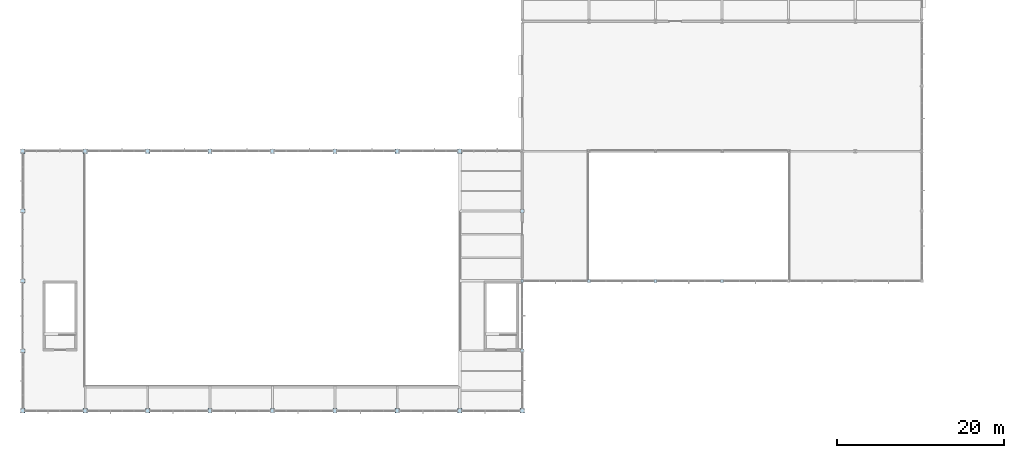
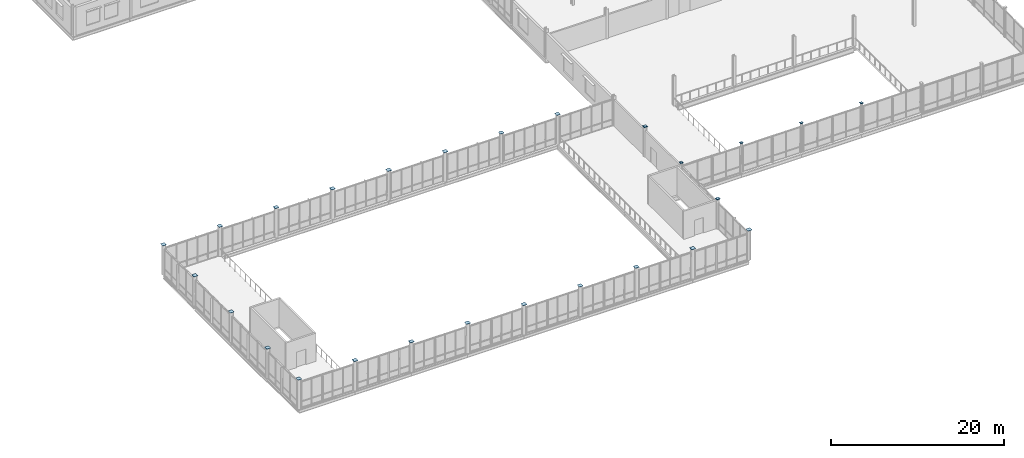
# One storey, part 54 of 75: 26 plates.
"""IFC4 building model written with IfcOpenShell, lengths in metres."""

from ifc_helpers import new_model, si_unit, direction, frame, origin, origin_2d, place, context, subcontext, project, spatial, rectangle, extrude, material, layer, layer_set, type_object, element, save


model = new_model("IFC4")

# Units and contexts
model_context = context("Model", 3, precision=1e-05, world=origin(), true_north=direction((0.0, 1.0)))
body_context = subcontext(model_context, "Body", "Model", "MODEL_VIEW")
ifc_project = project(units=[si_unit("LENGTHUNIT", "METRE"), si_unit("AREAUNIT", "SQUARE_METRE"), si_unit("VOLUMEUNIT", "CUBIC_METRE"), si_unit("PLANEANGLEUNIT", "RADIAN"), si_unit("MASSUNIT", "GRAM", prefix="KILO")], contexts=[model_context])

# Site, building, storey
site_placement = place(None, origin())
site = spatial("IfcSite", under=ifc_project, at=site_placement, CompositionType="ELEMENT")
building_placement = place(site_placement, origin())
building = spatial("IfcBuilding", under=site, at=building_placement, Name="Yukiwa Park Conservatory and Herbarium", CompositionType="ELEMENT")
storey_placement = place(building_placement, frame((0.0, 0.0, 4.800048828125)))
storey = spatial("IfcBuildingStorey", under=building, at=storey_placement, Name="L01", CompositionType="ELEMENT", Elevation=4.800048828125)

# Plates
ifc_material_1 = material(Name="Steel Q355D", Category="steel")
ifc_layer_1 = layer(ifc_material_1, 0.02392578125)
ifc_layer_set_1 = layer_set([ifc_layer_1], Name="Steel Q355D")
plate_type_1 = type_object("IfcPlateType", Name="PL-CAP-24", PredefinedType="USERDEFINED", material=ifc_layer_set_1)
for number, where, z_axis, x_axis, name in (
    (1, (0.0, 0.0, 4.176025390625), (0.0, 0.0, 1.0), (1.0, 0.0, 0.0), "Hollow section end cap plate CAP-COL-L01-V1-X0-Y0"),
    (2, (0.0, 7.199951171875, 4.176025390625), (0.0, 0.0, 1.0), (1.0, 0.0, 0.0), "Hollow section end cap plate CAP-COL-L01-V1-X0-Y72"),
    (3, (0.0, 15.60009765625, 4.176025390625), (0.0, 0.0, 1.0), (1.0, 0.0, 0.0), "Hollow section end cap plate CAP-COL-L01-V1-X0-Y156"),
    (4, (0.0, 24.0, 4.176025390625), (0.0, 0.0, 1.0), (1.0, 0.0, 0.0), "Hollow section end cap plate CAP-COL-L01-V1-X0-Y240"),
    (5, (0.0, 31.199951171875, 4.176025390625), (0.0, 0.0, 1.0), (1.0, 0.0, 0.0), "Hollow section end cap plate CAP-COL-L01-V1-X0-Y312"),
    (6, (7.5, 0.0, 4.176025390625), (0.0, 0.0, 1.0), (1.0, 0.0, 0.0), "Hollow section end cap plate CAP-COL-L01-V1-X75-Y0"),
    (7, (7.5, 31.199951171875, 4.176025390625), (0.0, 0.0, 1.0), (1.0, 0.0, 0.0), "Hollow section end cap plate CAP-COL-L01-V1-X75-Y312"),
    (8, (15.0, 0.0, 4.176025390625), (0.0, 0.0, 1.0), (1.0, 0.0, 0.0), "Hollow section end cap plate CAP-COL-L01-V1-X150-Y0"),
    (9, (15.0, 31.199951171875, 4.176025390625), (0.0, 0.0, 1.0), (1.0, 0.0, 0.0), "Hollow section end cap plate CAP-COL-L01-V1-X150-Y312"),
    (10, (22.5, 0.0, 4.176025390625), (0.0, 0.0, 1.0), (1.0, 0.0, 0.0), "Hollow section end cap plate CAP-COL-L01-V1-X225-Y0"),
    (11, (22.5, 31.199951171875, 4.176025390625), (0.0, 0.0, 1.0), (1.0, 0.0, 0.0), "Hollow section end cap plate CAP-COL-L01-V1-X225-Y312"),
    (12, (30.0, 0.0, 4.176025390625), (0.0, 0.0, 1.0), (1.0, 0.0, 0.0), "Hollow section end cap plate CAP-COL-L01-V1-X300-Y0"),
    (13, (30.0, 31.199951171875, 4.176025390625), (0.0, 0.0, 1.0), (1.0, 0.0, 0.0), "Hollow section end cap plate CAP-COL-L01-V1-X300-Y312"),
    (14, (37.5, 0.0, 4.176025390625), (0.0, 0.0, 1.0), (1.0, 0.0, 0.0), "Hollow section end cap plate CAP-COL-L01-V1-X375-Y0"),
    (15, (37.5, 31.199951171875, 4.176025390625), (0.0, 0.0, 1.0), (1.0, 0.0, 0.0), "Hollow section end cap plate CAP-COL-L01-V1-X375-Y312"),
    (16, (45.0, 0.0, 4.176025390625), (0.0, 0.0, 1.0), (1.0, 0.0, 0.0), "Hollow section end cap plate CAP-COL-L01-V1-X450-Y0"),
    (17, (45.0, 31.199951171875, 4.176025390625), (0.0, 0.0, 1.0), (1.0, 0.0, 0.0), "Hollow section end cap plate CAP-COL-L01-V1-X450-Y312"),
    (18, (52.5, 0.0, 4.176025390625), (0.0, 0.0, 1.0), (1.0, 0.0, 0.0), "Hollow section end cap plate CAP-COL-L01-V1-X525-Y0"),
    (19, (52.5, 31.199951171875, 4.176025390625), (0.0, 0.0, 1.0), (1.0, 0.0, 0.0), "Hollow section end cap plate CAP-COL-L01-V1-X525-Y312"),
    (20, (60.0, 0.0, 4.176025390625), (0.0, 0.0, 1.0), (1.0, 0.0, 0.0), "Hollow section end cap plate CAP-COL-L01-V1-X600-Y0"),
):
    element("IfcPlate", number, at=place(storey_placement, frame(where, z_axis=z_axis, x_axis=x_axis)), inside=storey, type_object=plate_type_1, Name=name, ObjectType="END CAP PLATE", PredefinedType="USERDEFINED", context=body_context, shape_type="SweptSolid", body=[
        extrude(rectangle(XDim=0.51611328125, YDim=0.51611328125, at=origin_2d()), origin(), (0.0, 0.0, 1.0), 0.02392578125),
    ])
plate_1_placement = place(storey_placement, frame((60.0, 7.199951171875, 4.176025390625), z_axis=(0.0, 0.0, 1.0), x_axis=(1.0, 0.0, 0.0)))
element("IfcPlate", 21, at=plate_1_placement, inside=storey, type_object=plate_type_1, Name="Hollow section end cap plate CAP-COL-L01-V1-X600-Y72", ObjectType="END CAP PLATE", PredefinedType="USERDEFINED", context=body_context, shape_type="SweptSolid", body=[
    extrude(rectangle(XDim=0.43408203125, YDim=0.43408203125, at=origin_2d()), origin(), (0.0, 0.0, 1.0), 0.02392578125),
])
for number, where, z_axis, x_axis, name in (
    (22, (60.0, 15.60009765625, 4.176025390625), (0.0, 0.0, 1.0), (1.0, 0.0, 0.0), "Hollow section end cap plate CAP-COL-L01-V2-X600-Y156"),
    (23, (68.0, 15.60009765625, 4.176025390625), (0.0, 0.0, 1.0), (1.0, 0.0, 0.0), "Hollow section end cap plate CAP-COL-L01-V2-X680-Y156"),
    (24, (76.0, 15.60009765625, 4.176025390625), (0.0, 0.0, 1.0), (1.0, 0.0, 0.0), "Hollow section end cap plate CAP-COL-L01-V2-X760-Y156"),
    (25, (84.0, 15.60009765625, 4.176025390625), (0.0, 0.0, 1.0), (1.0, 0.0, 0.0), "Hollow section end cap plate CAP-COL-L01-V2-X840-Y156"),
):
    element("IfcPlate", number, at=place(storey_placement, frame(where, z_axis=z_axis, x_axis=x_axis)), inside=storey, type_object=plate_type_1, Name=name, ObjectType="END CAP PLATE", PredefinedType="USERDEFINED", context=body_context, shape_type="SweptSolid", body=[
        extrude(rectangle(XDim=0.3330078125, YDim=0.3330078125, at=origin_2d()), origin(), (0.0, 0.0, 1.0), 0.02392578125),
    ])
ifc_material_2 = material(Name="Steel Q355D", Category="steel")
ifc_layer_2 = layer(ifc_material_2, 0.02392578125)
ifc_layer_set_2 = layer_set([ifc_layer_2], Name="Steel Q355D")
plate_type_2 = type_object("IfcPlateType", Name="PL-CAP-24-INT", PredefinedType="USERDEFINED", material=ifc_layer_set_2)
plate_2_placement = place(storey_placement, frame((60.0, 24.0, 4.176025390625), z_axis=(0.0, 0.0, 1.0), x_axis=(1.0, 0.0, 0.0)))
element("IfcPlate", 26, at=plate_2_placement, inside=storey, type_object=plate_type_2, Name="Hollow section end cap plate CAP-COL-L01-V1-X600-Y240", ObjectType="END CAP PLATE", PredefinedType="USERDEFINED", context=body_context, shape_type="SweptSolid", body=[
    extrude(rectangle(XDim=0.43408203125, YDim=0.43408203125, at=origin_2d()), origin(), (0.0, 0.0, 1.0), 0.02392578125),
])

save(model, "model.ifc")
